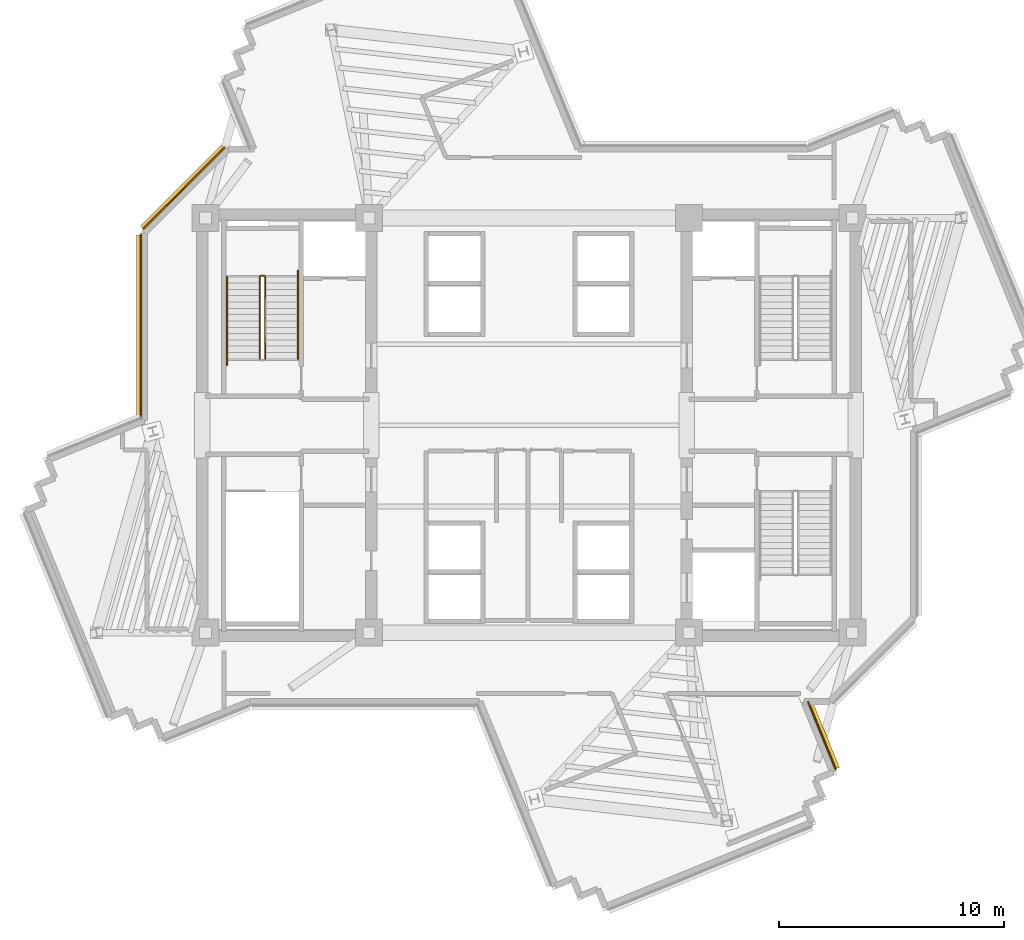
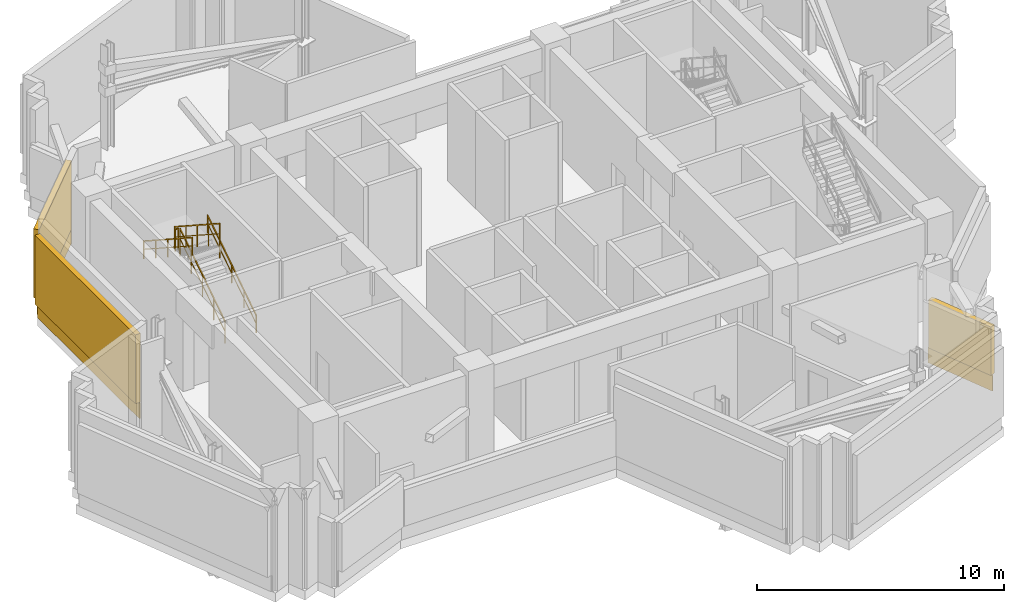
# One storey, part 9 of 11: 5 railings, 3 coverings, 3 shading devices.
"""IFC4 building model written with IfcOpenShell, lengths in metres."""

from ifc_helpers import new_model, si_unit, direction, frame, origin, origin_2d, place, context, subcontext, project, spatial, rectangle, extrude, source, transform, mapped, material, layer, layer_set, type_object, element, save


model = new_model("IFC4")

# Units and contexts
model_context = context("Model", 3, precision=1e-05, world=origin(), true_north=direction((0.0, 1.0)))
body_context = subcontext(model_context, "Body", "Model", "MODEL_VIEW")
ifc_project = project(units=[si_unit("LENGTHUNIT", "METRE"), si_unit("AREAUNIT", "SQUARE_METRE"), si_unit("VOLUMEUNIT", "CUBIC_METRE"), si_unit("PLANEANGLEUNIT", "RADIAN"), si_unit("MASSUNIT", "GRAM", prefix="KILO")], contexts=[model_context])

# Site, building, storey
site_placement = place(None, origin())
site = spatial("IfcSite", under=ifc_project, at=site_placement, CompositionType="ELEMENT")
building_placement = place(site_placement, origin())
building = spatial("IfcBuilding", under=site, at=building_placement, Name="Zahravan Cultural Tower", CompositionType="ELEMENT")
storey_placement = place(building_placement, frame((0.0, 0.0, 229.199951171875)))
storey = spatial("IfcBuildingStorey", under=building, at=storey_placement, Name="L54", CompositionType="ELEMENT", Elevation=229.199951171875)

# Railings
ifc_material_1 = material(Name="Steel ASTM A572 Grade 50", Category="steel")
railing_type_1 = type_object("IfcRailingType", Name="RL-STAIR-GRD1150", PredefinedType="BALUSTRADE", material=ifc_material_1)
railing_1_placement = place(storey_placement, frame((24.300048828125, 29.949951171875, 0.18212890625)))
element("IfcRailing", 1, at=railing_1_placement, inside=storey, type_object=railing_type_1, Name="L54 ST-W1 stair guard 1", PredefinedType="BALUSTRADE", context=body_context, shape_type="SweptSolid", body=[
    extrude(rectangle(XDim=0.05, YDim=0.05, at=origin_2d()), frame((0.0, 0.0, 1.0751953125), z_axis=(0.0, 0.83825089185, 0.545284735081), x_axis=(-1.0, 0.0, 0.0)), (0.0, 0.0, 1.0), 4.342529296875),
    extrude(rectangle(XDim=0.032, YDim=0.032, at=origin_2d()), frame((0.0, 0.0, 0.572021484375), z_axis=(0.0, 0.83825089185, 0.545284735081), x_axis=(-1.0, 0.0, 0.0)), (0.0, 0.0, 1.0), 4.342529296875),
    extrude(rectangle(XDim=0.04, YDim=0.04, at=origin_2d()), origin(), (0.0, 0.0, 1.0), 1.10009765625),
    extrude(rectangle(XDim=0.04, YDim=0.04, at=origin_2d()), frame((0.0, 0.91015625, 0.592041015625)), (0.0, 0.0, 1.0), 1.10009765625),
    extrude(rectangle(XDim=0.04, YDim=0.04, at=origin_2d()), frame((0.0, 1.820068359375, 1.18408203125)), (0.0, 0.0, 1.0), 1.10009765625),
    extrude(rectangle(XDim=0.04, YDim=0.04, at=origin_2d()), frame((0.0, 2.72998046875, 1.77587890625)), (0.0, 0.0, 1.0), 1.10009765625),
    extrude(rectangle(XDim=0.04, YDim=0.04, at=origin_2d()), frame((0.0, 3.64013671875, 2.367919921875)), (0.0, 0.0, 1.0), 1.10009765625),
])
railing_2_placement = place(storey_placement, frame((24.25, 33.639892578125, 2.550048828125)))
element("IfcRailing", 2, at=railing_2_placement, inside=storey, type_object=railing_type_1, Name="L54 ST-W1 stair guard 2", PredefinedType="BALUSTRADE", context=body_context, shape_type="SweptSolid", body=[
    extrude(rectangle(XDim=0.05, YDim=0.05, at=origin_2d()), frame((0.0, 0.0, 1.0751953125), z_axis=(-1.0, 0.0, 0.0), x_axis=(0.0, -1.0, 0.0)), (0.0, 0.0, 1.0), 0.14990234375),
    extrude(rectangle(XDim=0.032, YDim=0.032, at=origin_2d()), frame((0.0, 0.0, 0.572021484375), z_axis=(-1.0, 0.0, 0.0), x_axis=(0.0, -1.0, 0.0)), (0.0, 0.0, 1.0), 0.14990234375),
    extrude(rectangle(XDim=0.04, YDim=0.04, at=origin_2d()), origin(), (0.0, 0.0, 1.0), 1.10009765625),
    extrude(rectangle(XDim=0.04, YDim=0.04, at=origin_2d()), frame((-0.14990234375, 0.0, 0.0)), (0.0, 0.0, 1.0), 1.10009765625),
])
railing_3_placement = place(storey_placement, frame((24.050048828125, 33.590087890625, 2.732177734375)))
element("IfcRailing", 3, at=railing_3_placement, inside=storey, type_object=railing_type_1, Name="L54 ST-W1 stair guard 3", PredefinedType="BALUSTRADE", context=body_context, shape_type="SweptSolid", body=[
    extrude(rectangle(XDim=0.05, YDim=0.05, at=origin_2d()), frame((0.0, 0.0, 1.0751953125), z_axis=(0.0, -0.83825089185, 0.545284735081), x_axis=(1.0, 0.0, 0.0)), (0.0, 0.0, 1.0), 4.342529296875),
    extrude(rectangle(XDim=0.032, YDim=0.032, at=origin_2d()), frame((0.0, 0.0, 0.572021484375), z_axis=(0.0, -0.83825089185, 0.545284735081), x_axis=(1.0, 0.0, 0.0)), (0.0, 0.0, 1.0), 4.342529296875),
    extrude(rectangle(XDim=0.04, YDim=0.04, at=origin_2d()), origin(), (0.0, 0.0, 1.0), 1.10009765625),
    extrude(rectangle(XDim=0.04, YDim=0.04, at=origin_2d()), frame((0.0, -0.91015625, 0.592041015625)), (0.0, 0.0, 1.0), 1.10009765625),
    extrude(rectangle(XDim=0.04, YDim=0.04, at=origin_2d()), frame((0.0, -1.820068359375, 1.18408203125)), (0.0, 0.0, 1.0), 1.10009765625),
    extrude(rectangle(XDim=0.04, YDim=0.04, at=origin_2d()), frame((0.0, -2.72998046875, 1.77587890625)), (0.0, 0.0, 1.0), 1.10009765625),
    extrude(rectangle(XDim=0.04, YDim=0.04, at=origin_2d()), frame((0.0, -3.64013671875, 2.367919921875)), (0.0, 0.0, 1.0), 1.10009765625),
])
railing_type_2 = type_object("IfcRailingType", Name="RL-STAIR-HR900", PredefinedType="HANDRAIL", material=ifc_material_1)
railing_4_placement = place(storey_placement, frame((25.75, 29.949951171875, 0.18212890625)))
element("IfcRailing", 4, at=railing_4_placement, inside=storey, type_object=railing_type_2, Name="L54 ST-W1 stair handrail 1", PredefinedType="HANDRAIL", context=body_context, shape_type="SweptSolid", body=[
    extrude(rectangle(XDim=0.05, YDim=0.05, at=origin_2d()), frame((0.0, 0.0, 0.875), z_axis=(0.0, 0.838253921411, 0.545280077794), x_axis=(-1.0, 0.0, 0.0)), (0.0, 0.0, 1.0), 4.676513671875),
    extrude(rectangle(XDim=0.032, YDim=0.032, at=origin_2d()), frame((0.0, 0.0, 0.468017578125), z_axis=(0.0, 0.838253921411, 0.545280077794), x_axis=(-1.0, 0.0, 0.0)), (0.0, 0.0, 1.0), 4.676513671875),
    extrude(rectangle(XDim=0.04, YDim=0.04, at=origin_2d()), origin(), (0.0, 0.0, 1.0), 0.89990234375),
    extrude(rectangle(XDim=0.04, YDim=0.04, at=origin_2d()), frame((0.0, 0.97998046875, 0.637451171875)), (0.0, 0.0, 1.0), 0.89990234375),
    extrude(rectangle(XDim=0.04, YDim=0.04, at=origin_2d()), frame((0.0, 1.9599609375, 1.27490234375)), (0.0, 0.0, 1.0), 0.89990234375),
    extrude(rectangle(XDim=0.04, YDim=0.04, at=origin_2d()), frame((0.0, 2.940185546875, 1.91259765625)), (0.0, 0.0, 1.0), 0.89990234375),
    extrude(rectangle(XDim=0.04, YDim=0.04, at=origin_2d()), frame((0.0, 3.920166015625, 2.550048828125)), (0.0, 0.0, 1.0), 0.89990234375),
])
railing_5_placement = place(storey_placement, frame((22.60009765625, 33.590087890625, 2.732177734375)))
element("IfcRailing", 5, at=railing_5_placement, inside=storey, type_object=railing_type_2, Name="L54 ST-W1 stair handrail 2", PredefinedType="HANDRAIL", context=body_context, shape_type="SweptSolid", body=[
    extrude(rectangle(XDim=0.05, YDim=0.05, at=origin_2d()), frame((0.0, 0.0, 0.875), z_axis=(0.0, -0.838253921411, 0.545280077794), x_axis=(1.0, 0.0, 0.0)), (0.0, 0.0, 1.0), 4.676513671875),
    extrude(rectangle(XDim=0.032, YDim=0.032, at=origin_2d()), frame((0.0, 0.0, 0.468017578125), z_axis=(0.0, -0.838253921411, 0.545280077794), x_axis=(1.0, 0.0, 0.0)), (0.0, 0.0, 1.0), 4.676513671875),
    extrude(rectangle(XDim=0.04, YDim=0.04, at=origin_2d()), origin(), (0.0, 0.0, 1.0), 0.89990234375),
    extrude(rectangle(XDim=0.04, YDim=0.04, at=origin_2d()), frame((0.0, -0.97998046875, 0.637451171875)), (0.0, 0.0, 1.0), 0.89990234375),
    extrude(rectangle(XDim=0.04, YDim=0.04, at=origin_2d()), frame((0.0, -1.9599609375, 1.27490234375)), (0.0, 0.0, 1.0), 0.89990234375),
    extrude(rectangle(XDim=0.04, YDim=0.04, at=origin_2d()), frame((0.0, -2.940185546875, 1.91259765625)), (0.0, 0.0, 1.0), 0.89990234375),
    extrude(rectangle(XDim=0.04, YDim=0.04, at=origin_2d()), frame((0.0, -3.920166015625, 2.550048828125)), (0.0, 0.0, 1.0), 0.89990234375),
])

# Covering
ifc_material_2 = material(Name="Terracotta ceramic cladding", Category="masonry")
ifc_layer = layer(ifc_material_2, 0.06005859375)
ifc_layer_set = layer_set([ifc_layer], Name="Terracotta ceramic cladding")
covering_type = type_object("IfcCoveringType", Name="COV-CLAD-TC60", PredefinedType="CLADDING", material=ifc_layer_set)
shared_shape_1 = source(origin(), body_context, "Body", "SweptSolid", [
    extrude(rectangle(XDim=5.157958984375, YDim=0.06005859375, at=origin_2d()), origin(), (0.0, 0.0, 1.0), 0.760009765625),
])
covering_1_placement = place(storey_placement, frame((20.682373046875, 37.517578125, 0.02001953125), z_axis=(0.0, 0.0, 1.0), x_axis=(0.707106781187, 0.707106781187, 0.0)))
element("IfcCovering", 6, at=covering_1_placement, inside=storey, type_object=covering_type, Name="L54 Terracotta Spandrel Cladding 39", PredefinedType="CLADDING", context=body_context, shape_type="MappedRepresentation", body=[
    mapped(shared_shape_1, transform((0.0, 0.0, 0.0), x_axis=(1.0, 0.0, 0.0), y_axis=(0.0, 1.0, 0.0), z_axis=(0.0, 0.0, 1.0), scale=1.0)),
])

# Shading device
ifc_material_3 = material(Name="Architectural terracotta fin", Category="masonry")
shading_device_type = type_object("IfcShadingDeviceType", Name="SHD-LOUVRE-BAND", PredefinedType="JALOUSIE", material=ifc_material_3)
shared_shape_2 = source(origin(), body_context, "Body", "SweptSolid", [
    extrude(rectangle(XDim=5.05810546875, YDim=0.239990234375, at=origin_2d()), origin(), (0.0, 0.0, 1.0), 3.39990234375),
])
shading_device_1_placement = place(storey_placement, frame((20.636474609375, 37.563720703125, 0.780029296875), z_axis=(0.0, 0.0, 1.0), x_axis=(0.707106781187, 0.707106781187, 0.0)))
element("IfcShadingDevice", 7, at=shading_device_1_placement, inside=storey, type_object=shading_device_type, Name="L54 Terracotta Acoustic Louvre 14", PredefinedType="JALOUSIE", context=body_context, shape_type="MappedRepresentation", body=[
    mapped(shared_shape_2, transform((0.0, 0.0, 0.0), x_axis=(1.0, 0.0, 0.0), y_axis=(0.0, 1.0, 0.0), z_axis=(0.0, 0.0, 1.0), scale=1.0)),
])

# Covering
shared_shape_3 = source(origin(), body_context, "Body", "SweptSolid", [
    extrude(rectangle(XDim=8.220703125, YDim=0.06005859375, at=origin_2d()), origin(), (0.0, 0.0, 1.0), 0.760009765625),
])
covering_2_placement = place(storey_placement, frame((18.77490234375, 31.381591796875, 0.02001953125), z_axis=(0.0, 0.0, 1.0), x_axis=(0.0, 1.0, 0.0)))
element("IfcCovering", 8, at=covering_2_placement, inside=storey, type_object=covering_type, Name="L54 Terracotta Spandrel Cladding 38", PredefinedType="CLADDING", context=body_context, shape_type="MappedRepresentation", body=[
    mapped(shared_shape_3, transform((0.0, 0.0, 0.0), x_axis=(1.0, 0.0, 0.0), y_axis=(0.0, 1.0, 0.0), z_axis=(0.0, 0.0, 1.0), scale=1.0)),
])

# Shading device
shared_shape_4 = source(origin(), body_context, "Body", "SweptSolid", [
    extrude(rectangle(XDim=8.12060546875, YDim=0.239990234375, at=origin_2d()), origin(), (0.0, 0.0, 1.0), 3.39990234375),
])
shading_device_2_placement = place(storey_placement, frame((18.7099609375, 31.381591796875, 0.780029296875), z_axis=(0.0, 0.0, 1.0), x_axis=(0.0, 1.0, 0.0)))
element("IfcShadingDevice", 9, at=shading_device_2_placement, inside=storey, type_object=shading_device_type, Name="L54 Terracotta Acoustic Louvre 13", PredefinedType="JALOUSIE", context=body_context, shape_type="MappedRepresentation", body=[
    mapped(shared_shape_4, transform((0.0, 0.0, 0.0), x_axis=(1.0, 0.0, 0.0), y_axis=(0.0, 1.0, 0.0), z_axis=(0.0, 0.0, 1.0), scale=1.0)),
])

# Covering
shared_shape_5 = source(origin(), body_context, "Body", "SweptSolid", [
    extrude(rectangle(XDim=3.29296875, YDim=0.06005859375, at=origin_2d()), origin(), (0.0, 0.0, 1.0), 0.760009765625),
])
covering_3_placement = place(storey_placement, frame((49.0009765625, 13.232177734375, 0.02001953125), z_axis=(0.0, 0.0, 1.0), x_axis=(0.378390142925, -0.92564620657, 0.0)))
element("IfcCovering", 10, at=covering_3_placement, inside=storey, type_object=covering_type, Name="L54 Terracotta Spandrel Cladding 15", PredefinedType="CLADDING", context=body_context, shape_type="MappedRepresentation", body=[
    mapped(shared_shape_5, transform((0.0, 0.0, 0.0), x_axis=(1.0, 0.0, 0.0), y_axis=(0.0, 1.0, 0.0), z_axis=(0.0, 0.0, 1.0), scale=1.0)),
])

# Shading device
shared_shape_6 = source(origin(), body_context, "Body", "SweptSolid", [
    extrude(rectangle(XDim=3.19287109375, YDim=0.239990234375, at=origin_2d()), origin(), (0.0, 0.0, 1.0), 2.39208984375),
])
shading_device_3_placement = place(storey_placement, frame((49.061279296875, 13.256591796875, 0.780029296875), z_axis=(0.0, 0.0, 1.0), x_axis=(0.378390142925, -0.92564620657, 0.0)))
element("IfcShadingDevice", 11, at=shading_device_3_placement, inside=storey, type_object=shading_device_type, Name="L54 Terracotta Acoustic Louvre 06", PredefinedType="JALOUSIE", context=body_context, shape_type="MappedRepresentation", body=[
    mapped(shared_shape_6, transform((0.0, 0.0, 0.0), x_axis=(1.0, 0.0, 0.0), y_axis=(0.0, 1.0, 0.0), z_axis=(0.0, 0.0, 1.0), scale=1.0)),
])

save(model, "model.ifc")
